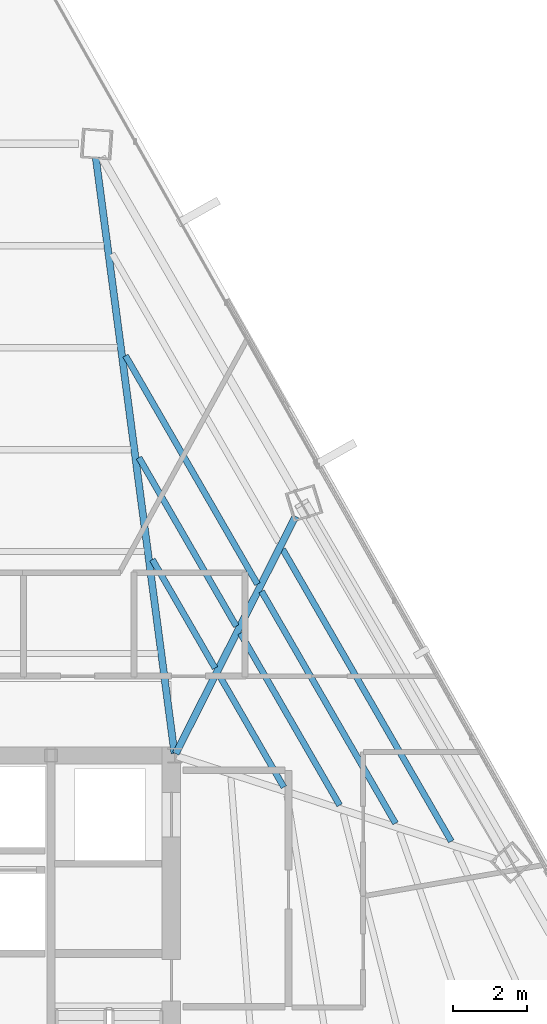
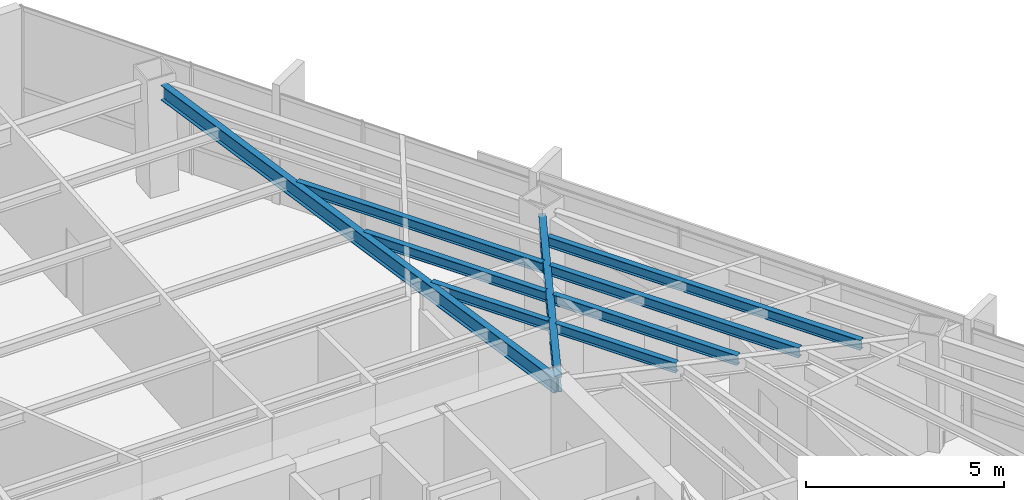
# One storey, part 25 of 42: 9 beams.
"""IFC4 building model written with IfcOpenShell, lengths in metres."""

from ifc_helpers import new_model, si_unit, direction, frame, origin, origin_2d, place, context, subcontext, project, spatial, i_section, extrude, source, transform, mapped, material, material_profile, profile_set, type_object, type_shapes, element, save


model = new_model("IFC4")

# Units and contexts
model_context = context("Model", 3, precision=1e-05, world=origin(), true_north=direction((0.0, 1.0)))
body_context = subcontext(model_context, "Body", "Model", "MODEL_VIEW")
ifc_project = project(units=[si_unit("LENGTHUNIT", "METRE"), si_unit("AREAUNIT", "SQUARE_METRE"), si_unit("VOLUMEUNIT", "CUBIC_METRE"), si_unit("PLANEANGLEUNIT", "RADIAN"), si_unit("MASSUNIT", "GRAM", prefix="KILO")], contexts=[model_context])

# Site, building, storey
site_placement = place(None, origin())
site = spatial("IfcSite", under=ifc_project, at=site_placement, CompositionType="ELEMENT")
building_placement = place(site_placement, origin())
building = spatial("IfcBuilding", under=site, at=building_placement, Name="Caelisora Broadcast Tower", CompositionType="ELEMENT")
storey_placement = place(building_placement, frame((0.0, 0.0, 191.35009765625)))
storey = spatial("IfcBuildingStorey", under=building, at=storey_placement, Name="L50", CompositionType="ELEMENT", Elevation=191.35009765625)

# Beams
ifc_material = material(Name="Steel Grade 350 (AS/NZS 3679.1)", Category="steel")
ifc_material_profile_1 = material_profile(ifc_material, i_section(OverallWidth=0.19091796875, OverallDepth=0.46044921875, WebThickness=0.010009765625, FlangeThickness=0.01611328125, at=origin_2d()), Name="Steel Grade 350 (AS/NZS 3679.1)")
ifc_profile_set_1 = profile_set([ifc_material_profile_1], Name="Steel Grade 350 (AS/NZS 3679.1)")
beam_type_1 = type_object("IfcBeamType", Name="PG06", PredefinedType="BEAM", material=ifc_profile_set_1)
shared_shape_1 = source(origin(), body_context, "Body", "SweptSolid", [
    extrude(i_section(OverallWidth=0.19091796875, OverallDepth=0.46044921875, WebThickness=0.010009765625, FlangeThickness=0.01611328125, at=origin_2d()), origin(), (0.0, 0.0, 1.0), 16.2744140625),
])
beam_1_placement = place(storey_placement, frame((45.4921875, 30.0595703125, 3.169677734375), z_axis=(-0.130903872867, 0.991395065586, 0.0), x_axis=(-0.991395065586, -0.130903872867, 0.0)))
element("IfcBeam", 1, at=beam_1_placement, inside=storey, type_object=beam_type_1, Name="L50 beam PG06", PredefinedType="BEAM", context=body_context, shape_type="MappedRepresentation", body=[
    mapped(shared_shape_1, transform((0.0, 0.0, 0.0), scale=1.0)),
])
shared_shape_2 = source(origin(), body_context, "Body", "SweptSolid", [
    extrude(i_section(OverallWidth=0.19091796875, OverallDepth=0.46044921875, WebThickness=0.010009765625, FlangeThickness=0.01611328125, at=origin_2d()), origin(), (0.0, 0.0, 1.0), 7.200439453125),
])
type_shapes(beam_type_1, [shared_shape_1, shared_shape_2])
beam_2_placement = place(storey_placement, frame((45.527099609375, 30.0537109375, 3.169677734375), z_axis=(0.450682228793, 0.892684450772, 0.0), x_axis=(-0.892684450772, 0.450682228793, 0.0)))
element("IfcBeam", 2, at=beam_2_placement, inside=storey, type_object=beam_type_1, Name="L50 beam PG06", PredefinedType="BEAM", context=body_context, shape_type="MappedRepresentation", body=[
    mapped(shared_shape_2, transform((0.0, 0.0, 0.0), scale=1.0)),
])
ifc_material_profile_2 = material_profile(ifc_material, i_section(OverallWidth=0.166015625, OverallDepth=0.30712890625, WebThickness=0.006591796875, FlangeThickness=0.01171875, at=origin_2d()), Name="Steel Grade 350 (AS/NZS 3679.1)")
ifc_profile_set_2 = profile_set([ifc_material_profile_2], Name="Steel Grade 350 (AS/NZS 3679.1)")
beam_type_2 = type_object("IfcBeamType", Name="SB03", PredefinedType="JOIST", material=ifc_profile_set_2)
shared_shape_3 = source(origin(), body_context, "Body", "SweptSolid", [
    extrude(i_section(OverallWidth=0.166015625, OverallDepth=0.30712890625, WebThickness=0.006591796875, FlangeThickness=0.01171875, at=origin_2d()), origin(), (0.0, 0.0, 1.0), 3.39501953125),
])
beam_3_placement = place(storey_placement, frame((46.591796875, 32.368408203125, 3.246337890625), z_axis=(-0.499998420191, 0.866026315886, 0.0), x_axis=(-0.866026315886, -0.499998420191, 0.0)))
element("IfcBeam", 3, at=beam_3_placement, inside=storey, type_object=beam_type_2, Name="L50 beam SB03", PredefinedType="JOIST", context=body_context, shape_type="MappedRepresentation", body=[
    mapped(shared_shape_3, transform((0.0, 0.0, 0.0), scale=1.0)),
])
shared_shape_4 = source(origin(), body_context, "Body", "SweptSolid", [
    extrude(i_section(OverallWidth=0.166015625, OverallDepth=0.30712890625, WebThickness=0.006591796875, FlangeThickness=0.01171875, at=origin_2d()), origin(), (0.0, 0.0, 1.0), 5.27099609375),
])
beam_4_placement = place(storey_placement, frame((47.165283203125, 33.504638671875, 3.246337890625), z_axis=(-0.499989740797, 0.866031326857, 0.0), x_axis=(-0.866031326857, -0.499989740797, 0.0)))
element("IfcBeam", 4, at=beam_4_placement, inside=storey, type_object=beam_type_2, Name="L50 beam SB03", PredefinedType="JOIST", context=body_context, shape_type="MappedRepresentation", body=[
    mapped(shared_shape_4, transform((0.0, 0.0, 0.0), scale=1.0)),
])
shared_shape_5 = source(origin(), body_context, "Body", "SweptSolid", [
    extrude(i_section(OverallWidth=0.166015625, OverallDepth=0.30712890625, WebThickness=0.006591796875, FlangeThickness=0.01171875, at=origin_2d()), origin(), (0.0, 0.0, 1.0), 7.1474609375),
])
beam_5_placement = place(storey_placement, frame((47.739013671875, 34.640869140625, 3.246337890625), z_axis=(-0.499996446128, 0.866027455604, 0.0), x_axis=(-0.866027455604, -0.499996446128, 0.0)))
element("IfcBeam", 5, at=beam_5_placement, inside=storey, type_object=beam_type_2, Name="L50 beam SB03", PredefinedType="JOIST", context=body_context, shape_type="MappedRepresentation", body=[
    mapped(shared_shape_5, transform((0.0, 0.0, 0.0), scale=1.0)),
])
shared_shape_6 = source(origin(), body_context, "Body", "SweptSolid", [
    extrude(i_section(OverallWidth=0.166015625, OverallDepth=0.30712890625, WebThickness=0.006591796875, FlangeThickness=0.01171875, at=origin_2d()), origin(), (0.0, 0.0, 1.0), 3.501953125),
])
beam_6_placement = place(storey_placement, frame((48.453857421875, 29.143310546875, 3.246337890625), z_axis=(-0.500008102249, 0.866020725898, 0.0), x_axis=(-0.866020725898, -0.500008102249, 0.0)))
element("IfcBeam", 6, at=beam_6_placement, inside=storey, type_object=beam_type_2, Name="L50 beam SB03", PredefinedType="JOIST", context=body_context, shape_type="MappedRepresentation", body=[
    mapped(shared_shape_6, transform((0.0, 0.0, 0.0), scale=1.0)),
])
shared_shape_7 = source(origin(), body_context, "Body", "SweptSolid", [
    extrude(i_section(OverallWidth=0.166015625, OverallDepth=0.30712890625, WebThickness=0.006591796875, FlangeThickness=0.01171875, at=origin_2d()), origin(), (0.0, 0.0, 1.0), 5.37841796875),
])
beam_7_placement = place(storey_placement, frame((49.965576171875, 28.654541015625, 3.246337890625), z_axis=(-0.500010607237, 0.866019279607, 0.0), x_axis=(-0.866019279607, -0.500010607237, 0.0)))
element("IfcBeam", 7, at=beam_7_placement, inside=storey, type_object=beam_type_2, Name="L50 beam SB03", PredefinedType="JOIST", context=body_context, shape_type="MappedRepresentation", body=[
    mapped(shared_shape_7, transform((0.0, 0.0, 0.0), scale=1.0)),
])
shared_shape_8 = source(origin(), body_context, "Body", "SweptSolid", [
    extrude(i_section(OverallWidth=0.166015625, OverallDepth=0.30712890625, WebThickness=0.006591796875, FlangeThickness=0.01171875, at=origin_2d()), origin(), (0.0, 0.0, 1.0), 7.254638671875),
])
beam_8_placement = place(storey_placement, frame((51.477294921875, 28.165771484375, 3.246337890625), z_axis=(-0.499986576645, 0.866033153623, 0.0), x_axis=(-0.866033153623, -0.499986576645, 0.0)))
element("IfcBeam", 8, at=beam_8_placement, inside=storey, type_object=beam_type_2, Name="L50 beam SB03", PredefinedType="JOIST", context=body_context, shape_type="MappedRepresentation", body=[
    mapped(shared_shape_8, transform((0.0, 0.0, 0.0), scale=1.0)),
])
shared_shape_9 = source(origin(), body_context, "Body", "SweptSolid", [
    extrude(i_section(OverallWidth=0.166015625, OverallDepth=0.30712890625, WebThickness=0.006591796875, FlangeThickness=0.01171875, at=origin_2d()), origin(), (0.0, 0.0, 1.0), 9.131103515625),
])
type_shapes(beam_type_2, [shared_shape_3, shared_shape_4, shared_shape_5, shared_shape_6, shared_shape_7, shared_shape_8, shared_shape_9])
beam_9_placement = place(storey_placement, frame((52.989013671875, 27.677001953125, 3.246337890625), z_axis=(-0.499992475648, 0.866029747927, 0.0), x_axis=(-0.866029747927, -0.499992475648, 0.0)))
element("IfcBeam", 9, at=beam_9_placement, inside=storey, type_object=beam_type_2, Name="L50 beam SB03", PredefinedType="JOIST", context=body_context, shape_type="MappedRepresentation", body=[
    mapped(shared_shape_9, transform((0.0, 0.0, 0.0), scale=1.0)),
])

save(model, "model.ifc")
